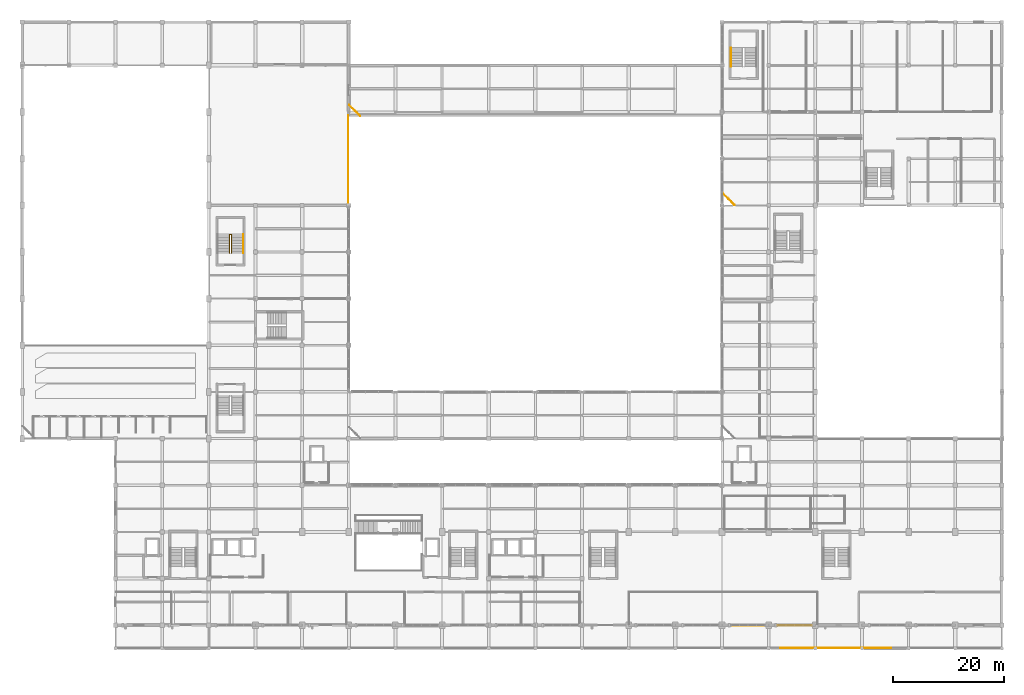
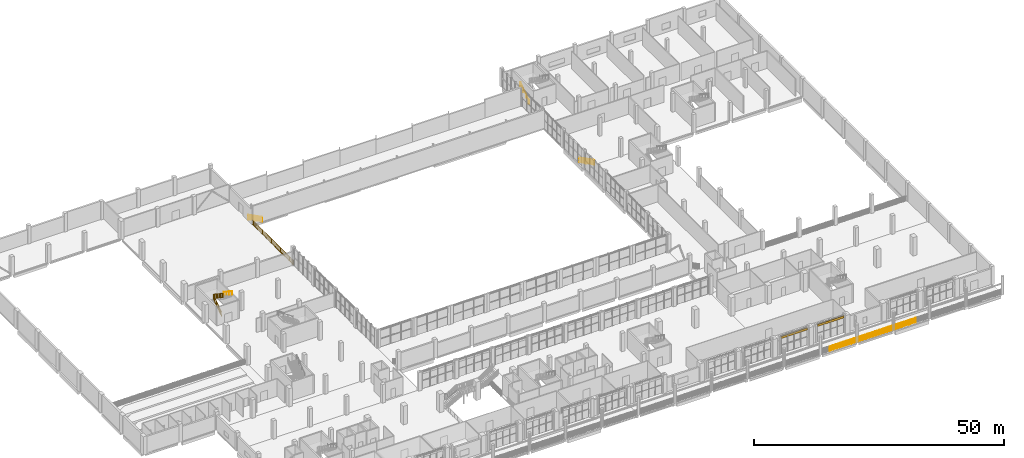
# One storey, part 73 of 75: 7 railings, 2 coverings.
"""IFC4 building model written with IfcOpenShell, lengths in metres."""

from ifc_helpers import new_model, si_unit, derived_unit, direction, frame, origin, origin_2d, place, context, subcontext, project, spatial, rectangle, circle, extrude, material, layer, layer_set, type_object, element, save


model = new_model("IFC4")

# Units and contexts
model_context = context("Model", 3, precision=1e-05, world=origin(), true_north=direction((0.0, 1.0)))
body_context = subcontext(model_context, "Body", "Model", "MODEL_VIEW")
ifc_project = project(units=[si_unit("LENGTHUNIT", "METRE"), si_unit("AREAUNIT", "SQUARE_METRE"), si_unit("VOLUMEUNIT", "CUBIC_METRE"), si_unit("PLANEANGLEUNIT", "RADIAN"), si_unit("MASSUNIT", "GRAM", prefix="KILO"), derived_unit("THERMALTRANSMITTANCEUNIT", [(si_unit("POWERUNIT", "WATT"), 1), (si_unit("LENGTHUNIT", "METRE"), -2), (si_unit("THERMODYNAMICTEMPERATUREUNIT", "KELVIN"), -1)])], contexts=[model_context])

# Site, building, storey
site_placement = place(None, origin())
site = spatial("IfcSite", under=ifc_project, at=site_placement, CompositionType="ELEMENT")
building_placement = place(site_placement, origin())
building = spatial("IfcBuilding", under=site, at=building_placement, Name="Barrovel Congress Hotel", CompositionType="ELEMENT")
storey_placement = place(building_placement, frame((0.0, 0.0, 5.39990234375)))
storey = spatial("IfcBuildingStorey", under=building, at=storey_placement, Name="L01", CompositionType="ELEMENT", Elevation=5.39990234375)

# Coverings
ifc_material_1 = material(Name="Glazed Terracotta Spandrel", Category="masonry")
ifc_layer_1 = layer(ifc_material_1, 0.1201171875)
ifc_layer_set_1 = layer_set([ifc_layer_1], Name="Glazed Terracotta Spandrel")
covering_type = type_object("IfcCoveringType", Name="COV-CLAD-TERRA", PredefinedType="CLADDING", material=ifc_layer_set_1)
for number, where, z_axis, x_axis, name in (
    (1, (130.679931640625, 4.14990234375, 3.710205078125), (0.0, 0.0, 1.0), (1.0, 0.0, 0.0), "CLAD:L01:S:15"),
    (2, (139.080078125, 4.14990234375, 3.710205078125), (0.0, 0.0, 1.0), (1.0, 0.0, 0.0), "CLAD:L01:S:16"),
):
    element("IfcCovering", number, at=place(storey_placement, frame(where, z_axis=z_axis, x_axis=x_axis)), inside=storey, type_object=covering_type, Name=name, PredefinedType="CLADDING", context=body_context, shape_type="SweptSolid", body=[
        extrude(rectangle(XDim=6.1201171875, YDim=0.1201171875, at=origin_2d()), origin(), (0.0, 0.0, 1.0), 0.52001953125),
    ])

# Railings
ifc_material_2 = material(Name="Painted Architectural Steel", Category="steel")
ifc_layer_2 = layer(ifc_material_2, 0.080078125)
ifc_layer_set_2 = layer_set([ifc_layer_2], Name="Painted Architectural Steel")
railing_type_1 = type_object("IfcRailingType", Name="RAIL-GUARD-EXT", PredefinedType="BALUSTRADE", material=ifc_layer_set_2)
railing_1_placement = place(storey_placement, frame((136.5, 0.080078125, 0.0)))
element("IfcRailing", 3, at=railing_1_placement, inside=storey, type_object=railing_type_1, Name="Arcade Promenade Guardrail 7", PredefinedType="BALUSTRADE", context=body_context, shape_type="SweptSolid", body=[
    extrude(circle(Radius=0.02392578125, at=origin_2d()), frame((0.0, 0.0, 1.11572265625), z_axis=(1.0, 0.0, 0.0), x_axis=(0.0, 1.0, 0.0)), (0.0, 0.0, 1.0), 19.949951171875),
    extrude(circle(Radius=0.02392578125, at=origin_2d()), frame((0.0, 0.0, 0.10009765625), z_axis=(1.0, 0.0, 0.0), x_axis=(0.0, 1.0, 0.0)), (0.0, 0.0, 1.0), 19.949951171875),
    extrude(circle(Radius=0.010009765625, at=origin_2d()), frame((0.443359375, 0.0, 0.10009765625)), (0.0, 0.0, 1.0), 0.99169921875),
    extrude(circle(Radius=0.010009765625, at=origin_2d()), frame((0.88671875, 0.0, 0.10009765625)), (0.0, 0.0, 1.0), 0.99169921875),
    extrude(circle(Radius=0.010009765625, at=origin_2d()), frame((1.330078125, 0.0, 0.10009765625)), (0.0, 0.0, 1.0), 0.99169921875),
    extrude(circle(Radius=0.010009765625, at=origin_2d()), frame((1.7734375, 0.0, 0.10009765625)), (0.0, 0.0, 1.0), 0.99169921875),
    extrude(circle(Radius=0.010009765625, at=origin_2d()), frame((2.216552734375, 0.0, 0.10009765625)), (0.0, 0.0, 1.0), 0.99169921875),
    extrude(circle(Radius=0.010009765625, at=origin_2d()), frame((2.659912109375, 0.0, 0.10009765625)), (0.0, 0.0, 1.0), 0.99169921875),
    extrude(circle(Radius=0.010009765625, at=origin_2d()), frame((3.103271484375, 0.0, 0.10009765625)), (0.0, 0.0, 1.0), 0.99169921875),
    extrude(circle(Radius=0.010009765625, at=origin_2d()), frame((3.546630859375, 0.0, 0.10009765625)), (0.0, 0.0, 1.0), 0.99169921875),
    extrude(circle(Radius=0.010009765625, at=origin_2d()), frame((3.989990234375, 0.0, 0.10009765625)), (0.0, 0.0, 1.0), 0.99169921875),
    extrude(circle(Radius=0.010009765625, at=origin_2d()), frame((4.433349609375, 0.0, 0.10009765625)), (0.0, 0.0, 1.0), 0.99169921875),
    extrude(circle(Radius=0.010009765625, at=origin_2d()), frame((4.876708984375, 0.0, 0.10009765625)), (0.0, 0.0, 1.0), 0.99169921875),
    extrude(circle(Radius=0.010009765625, at=origin_2d()), frame((5.320068359375, 0.0, 0.10009765625)), (0.0, 0.0, 1.0), 0.99169921875),
    extrude(circle(Radius=0.010009765625, at=origin_2d()), frame((5.763427734375, 0.0, 0.10009765625)), (0.0, 0.0, 1.0), 0.99169921875),
    extrude(circle(Radius=0.010009765625, at=origin_2d()), frame((6.20654296875, 0.0, 0.10009765625)), (0.0, 0.0, 1.0), 0.99169921875),
    extrude(circle(Radius=0.010009765625, at=origin_2d()), frame((6.64990234375, 0.0, 0.10009765625)), (0.0, 0.0, 1.0), 0.99169921875),
    extrude(circle(Radius=0.010009765625, at=origin_2d()), frame((7.09326171875, 0.0, 0.10009765625)), (0.0, 0.0, 1.0), 0.99169921875),
    extrude(circle(Radius=0.010009765625, at=origin_2d()), frame((7.53662109375, 0.0, 0.10009765625)), (0.0, 0.0, 1.0), 0.99169921875),
    extrude(circle(Radius=0.010009765625, at=origin_2d()), frame((7.97998046875, 0.0, 0.10009765625)), (0.0, 0.0, 1.0), 0.99169921875),
    extrude(circle(Radius=0.010009765625, at=origin_2d()), frame((8.42333984375, 0.0, 0.10009765625)), (0.0, 0.0, 1.0), 0.99169921875),
    extrude(circle(Radius=0.010009765625, at=origin_2d()), frame((8.86669921875, 0.0, 0.10009765625)), (0.0, 0.0, 1.0), 0.99169921875),
    extrude(circle(Radius=0.010009765625, at=origin_2d()), frame((9.31005859375, 0.0, 0.10009765625)), (0.0, 0.0, 1.0), 0.99169921875),
    extrude(circle(Radius=0.010009765625, at=origin_2d()), frame((9.75341796875, 0.0, 0.10009765625)), (0.0, 0.0, 1.0), 0.99169921875),
    extrude(circle(Radius=0.010009765625, at=origin_2d()), frame((10.196533203125, 0.0, 0.10009765625)), (0.0, 0.0, 1.0), 0.99169921875),
    extrude(circle(Radius=0.010009765625, at=origin_2d()), frame((10.639892578125, 0.0, 0.10009765625)), (0.0, 0.0, 1.0), 0.99169921875),
    extrude(circle(Radius=0.010009765625, at=origin_2d()), frame((11.083251953125, 0.0, 0.10009765625)), (0.0, 0.0, 1.0), 0.99169921875),
    extrude(circle(Radius=0.010009765625, at=origin_2d()), frame((11.526611328125, 0.0, 0.10009765625)), (0.0, 0.0, 1.0), 0.99169921875),
    extrude(circle(Radius=0.010009765625, at=origin_2d()), frame((11.969970703125, 0.0, 0.10009765625)), (0.0, 0.0, 1.0), 0.99169921875),
    extrude(circle(Radius=0.010009765625, at=origin_2d()), frame((12.413330078125, 0.0, 0.10009765625)), (0.0, 0.0, 1.0), 0.99169921875),
    extrude(circle(Radius=0.010009765625, at=origin_2d()), frame((12.856689453125, 0.0, 0.10009765625)), (0.0, 0.0, 1.0), 0.99169921875),
    extrude(circle(Radius=0.010009765625, at=origin_2d()), frame((13.300048828125, 0.0, 0.10009765625)), (0.0, 0.0, 1.0), 0.99169921875),
    extrude(circle(Radius=0.010009765625, at=origin_2d()), frame((13.743408203125, 0.0, 0.10009765625)), (0.0, 0.0, 1.0), 0.99169921875),
    extrude(circle(Radius=0.010009765625, at=origin_2d()), frame((14.1865234375, 0.0, 0.10009765625)), (0.0, 0.0, 1.0), 0.99169921875),
    extrude(circle(Radius=0.010009765625, at=origin_2d()), frame((14.6298828125, 0.0, 0.10009765625)), (0.0, 0.0, 1.0), 0.99169921875),
    extrude(circle(Radius=0.010009765625, at=origin_2d()), frame((15.0732421875, 0.0, 0.10009765625)), (0.0, 0.0, 1.0), 0.99169921875),
    extrude(circle(Radius=0.010009765625, at=origin_2d()), frame((15.5166015625, 0.0, 0.10009765625)), (0.0, 0.0, 1.0), 0.99169921875),
    extrude(circle(Radius=0.010009765625, at=origin_2d()), frame((15.9599609375, 0.0, 0.10009765625)), (0.0, 0.0, 1.0), 0.99169921875),
    extrude(circle(Radius=0.010009765625, at=origin_2d()), frame((16.4033203125, 0.0, 0.10009765625)), (0.0, 0.0, 1.0), 0.99169921875),
    extrude(circle(Radius=0.010009765625, at=origin_2d()), frame((16.8466796875, 0.0, 0.10009765625)), (0.0, 0.0, 1.0), 0.99169921875),
    extrude(circle(Radius=0.010009765625, at=origin_2d()), frame((17.2900390625, 0.0, 0.10009765625)), (0.0, 0.0, 1.0), 0.99169921875),
    extrude(circle(Radius=0.010009765625, at=origin_2d()), frame((17.7333984375, 0.0, 0.10009765625)), (0.0, 0.0, 1.0), 0.99169921875),
    extrude(circle(Radius=0.010009765625, at=origin_2d()), frame((18.176513671875, 0.0, 0.10009765625)), (0.0, 0.0, 1.0), 0.99169921875),
    extrude(circle(Radius=0.010009765625, at=origin_2d()), frame((18.619873046875, 0.0, 0.10009765625)), (0.0, 0.0, 1.0), 0.99169921875),
    extrude(circle(Radius=0.010009765625, at=origin_2d()), frame((19.063232421875, 0.0, 0.10009765625)), (0.0, 0.0, 1.0), 0.99169921875),
    extrude(circle(Radius=0.010009765625, at=origin_2d()), frame((19.506591796875, 0.0, 0.10009765625)), (0.0, 0.0, 1.0), 0.99169921875),
    extrude(circle(Radius=0.02099609375, at=origin_2d()), origin(), (0.0, 0.0, 1.0), 1.091796875),
    extrude(circle(Radius=0.02099609375, at=origin_2d()), frame((1.66259765625, 0.0, 0.0)), (0.0, 0.0, 1.0), 1.091796875),
    extrude(circle(Radius=0.02099609375, at=origin_2d()), frame((3.324951171875, 0.0, 0.0)), (0.0, 0.0, 1.0), 1.091796875),
    extrude(circle(Radius=0.02099609375, at=origin_2d()), frame((4.987548828125, 0.0, 0.0)), (0.0, 0.0, 1.0), 1.091796875),
    extrude(circle(Radius=0.02099609375, at=origin_2d()), frame((6.64990234375, 0.0, 0.0)), (0.0, 0.0, 1.0), 1.091796875),
    extrude(circle(Radius=0.02099609375, at=origin_2d()), frame((8.3125, 0.0, 0.0)), (0.0, 0.0, 1.0), 1.091796875),
    extrude(circle(Radius=0.02099609375, at=origin_2d()), frame((9.97509765625, 0.0, 0.0)), (0.0, 0.0, 1.0), 1.091796875),
    extrude(circle(Radius=0.02099609375, at=origin_2d()), frame((11.637451171875, 0.0, 0.0)), (0.0, 0.0, 1.0), 1.091796875),
    extrude(circle(Radius=0.02099609375, at=origin_2d()), frame((13.300048828125, 0.0, 0.0)), (0.0, 0.0, 1.0), 1.091796875),
    extrude(circle(Radius=0.02099609375, at=origin_2d()), frame((14.96240234375, 0.0, 0.0)), (0.0, 0.0, 1.0), 1.091796875),
    extrude(circle(Radius=0.02099609375, at=origin_2d()), frame((16.625, 0.0, 0.0)), (0.0, 0.0, 1.0), 1.091796875),
    extrude(circle(Radius=0.02099609375, at=origin_2d()), frame((18.287353515625, 0.0, 0.0)), (0.0, 0.0, 1.0), 1.091796875),
    extrude(circle(Radius=0.02099609375, at=origin_2d()), frame((19.949951171875, 0.0, 0.0)), (0.0, 0.0, 1.0), 1.091796875),
])
railing_2_placement = place(storey_placement, frame((58.719970703125, 79.800048828125, 0.0)))
element("IfcRailing", 4, at=railing_2_placement, inside=storey, type_object=railing_type_1, Name="RAIL:L01:FOYER-E", PredefinedType="BALUSTRADE", context=body_context, shape_type="SweptSolid", body=[
    extrude(circle(Radius=0.02392578125, at=origin_2d()), frame((0.0, 0.0, 1.11572265625), z_axis=(0.0, 1.0, 0.0), x_axis=(-1.0, 0.0, 0.0)), (0.0, 0.0, 1.0), 16.199951171875),
    extrude(circle(Radius=0.02392578125, at=origin_2d()), frame((0.0, 0.0, 0.10009765625), z_axis=(0.0, 1.0, 0.0), x_axis=(-1.0, 0.0, 0.0)), (0.0, 0.0, 1.0), 16.199951171875),
    extrude(circle(Radius=0.010009765625, at=origin_2d()), frame((0.0, 0.449951171875, 0.10009765625)), (0.0, 0.0, 1.0), 0.99169921875),
    extrude(circle(Radius=0.010009765625, at=origin_2d()), frame((0.0, 0.89990234375, 0.10009765625)), (0.0, 0.0, 1.0), 0.99169921875),
    extrude(circle(Radius=0.010009765625, at=origin_2d()), frame((0.0, 1.35009765625, 0.10009765625)), (0.0, 0.0, 1.0), 0.99169921875),
    extrude(circle(Radius=0.010009765625, at=origin_2d()), frame((0.0, 1.800048828125, 0.10009765625)), (0.0, 0.0, 1.0), 0.99169921875),
    extrude(circle(Radius=0.010009765625, at=origin_2d()), frame((0.0, 2.25, 0.10009765625)), (0.0, 0.0, 1.0), 0.99169921875),
    extrude(circle(Radius=0.010009765625, at=origin_2d()), frame((0.0, 2.699951171875, 0.10009765625)), (0.0, 0.0, 1.0), 0.99169921875),
    extrude(circle(Radius=0.010009765625, at=origin_2d()), frame((0.0, 3.14990234375, 0.10009765625)), (0.0, 0.0, 1.0), 0.99169921875),
    extrude(circle(Radius=0.010009765625, at=origin_2d()), frame((0.0, 3.60009765625, 0.10009765625)), (0.0, 0.0, 1.0), 0.99169921875),
    extrude(circle(Radius=0.010009765625, at=origin_2d()), frame((0.0, 4.050048828125, 0.10009765625)), (0.0, 0.0, 1.0), 0.99169921875),
    extrude(circle(Radius=0.010009765625, at=origin_2d()), frame((0.0, 4.5, 0.10009765625)), (0.0, 0.0, 1.0), 0.99169921875),
    extrude(circle(Radius=0.010009765625, at=origin_2d()), frame((0.0, 4.949951171875, 0.10009765625)), (0.0, 0.0, 1.0), 0.99169921875),
    extrude(circle(Radius=0.010009765625, at=origin_2d()), frame((0.0, 5.39990234375, 0.10009765625)), (0.0, 0.0, 1.0), 0.99169921875),
    extrude(circle(Radius=0.010009765625, at=origin_2d()), frame((0.0, 5.85009765625, 0.10009765625)), (0.0, 0.0, 1.0), 0.99169921875),
    extrude(circle(Radius=0.010009765625, at=origin_2d()), frame((0.0, 6.300048828125, 0.10009765625)), (0.0, 0.0, 1.0), 0.99169921875),
    extrude(circle(Radius=0.010009765625, at=origin_2d()), frame((0.0, 6.75, 0.10009765625)), (0.0, 0.0, 1.0), 0.99169921875),
    extrude(circle(Radius=0.010009765625, at=origin_2d()), frame((0.0, 7.199951171875, 0.10009765625)), (0.0, 0.0, 1.0), 0.99169921875),
    extrude(circle(Radius=0.010009765625, at=origin_2d()), frame((0.0, 7.64990234375, 0.10009765625)), (0.0, 0.0, 1.0), 0.99169921875),
    extrude(circle(Radius=0.010009765625, at=origin_2d()), frame((0.0, 8.10009765625, 0.10009765625)), (0.0, 0.0, 1.0), 0.99169921875),
    extrude(circle(Radius=0.010009765625, at=origin_2d()), frame((0.0, 8.550048828125, 0.10009765625)), (0.0, 0.0, 1.0), 0.99169921875),
    extrude(circle(Radius=0.010009765625, at=origin_2d()), frame((0.0, 9.0, 0.10009765625)), (0.0, 0.0, 1.0), 0.99169921875),
    extrude(circle(Radius=0.010009765625, at=origin_2d()), frame((0.0, 9.449951171875, 0.10009765625)), (0.0, 0.0, 1.0), 0.99169921875),
    extrude(circle(Radius=0.010009765625, at=origin_2d()), frame((0.0, 9.89990234375, 0.10009765625)), (0.0, 0.0, 1.0), 0.99169921875),
    extrude(circle(Radius=0.010009765625, at=origin_2d()), frame((0.0, 10.349853515625, 0.10009765625)), (0.0, 0.0, 1.0), 0.99169921875),
    extrude(circle(Radius=0.010009765625, at=origin_2d()), frame((0.0, 10.800048828125, 0.10009765625)), (0.0, 0.0, 1.0), 0.99169921875),
    extrude(circle(Radius=0.010009765625, at=origin_2d()), frame((0.0, 11.25, 0.10009765625)), (0.0, 0.0, 1.0), 0.99169921875),
    extrude(circle(Radius=0.010009765625, at=origin_2d()), frame((0.0, 11.699951171875, 0.10009765625)), (0.0, 0.0, 1.0), 0.99169921875),
    extrude(circle(Radius=0.010009765625, at=origin_2d()), frame((0.0, 12.14990234375, 0.10009765625)), (0.0, 0.0, 1.0), 0.99169921875),
    extrude(circle(Radius=0.010009765625, at=origin_2d()), frame((0.0, 12.599853515625, 0.10009765625)), (0.0, 0.0, 1.0), 0.99169921875),
    extrude(circle(Radius=0.010009765625, at=origin_2d()), frame((0.0, 13.050048828125, 0.10009765625)), (0.0, 0.0, 1.0), 0.99169921875),
    extrude(circle(Radius=0.010009765625, at=origin_2d()), frame((0.0, 13.5, 0.10009765625)), (0.0, 0.0, 1.0), 0.99169921875),
    extrude(circle(Radius=0.010009765625, at=origin_2d()), frame((0.0, 13.949951171875, 0.10009765625)), (0.0, 0.0, 1.0), 0.99169921875),
    extrude(circle(Radius=0.010009765625, at=origin_2d()), frame((0.0, 14.39990234375, 0.10009765625)), (0.0, 0.0, 1.0), 0.99169921875),
    extrude(circle(Radius=0.010009765625, at=origin_2d()), frame((0.0, 14.849853515625, 0.10009765625)), (0.0, 0.0, 1.0), 0.99169921875),
    extrude(circle(Radius=0.010009765625, at=origin_2d()), frame((0.0, 15.300048828125, 0.10009765625)), (0.0, 0.0, 1.0), 0.99169921875),
    extrude(circle(Radius=0.010009765625, at=origin_2d()), frame((0.0, 15.75, 0.10009765625)), (0.0, 0.0, 1.0), 0.99169921875),
    extrude(circle(Radius=0.02099609375, at=origin_2d()), origin(), (0.0, 0.0, 1.0), 1.091796875),
    extrude(circle(Radius=0.02099609375, at=origin_2d()), frame((0.0, 1.800048828125, 0.0)), (0.0, 0.0, 1.0), 1.091796875),
    extrude(circle(Radius=0.02099609375, at=origin_2d()), frame((0.0, 3.60009765625, 0.0)), (0.0, 0.0, 1.0), 1.091796875),
    extrude(circle(Radius=0.02099609375, at=origin_2d()), frame((0.0, 5.39990234375, 0.0)), (0.0, 0.0, 1.0), 1.091796875),
    extrude(circle(Radius=0.02099609375, at=origin_2d()), frame((0.0, 7.199951171875, 0.0)), (0.0, 0.0, 1.0), 1.091796875),
    extrude(circle(Radius=0.02099609375, at=origin_2d()), frame((0.0, 9.0, 0.0)), (0.0, 0.0, 1.0), 1.091796875),
    extrude(circle(Radius=0.02099609375, at=origin_2d()), frame((0.0, 10.800048828125, 0.0)), (0.0, 0.0, 1.0), 1.091796875),
    extrude(circle(Radius=0.02099609375, at=origin_2d()), frame((0.0, 12.599853515625, 0.0)), (0.0, 0.0, 1.0), 1.091796875),
    extrude(circle(Radius=0.02099609375, at=origin_2d()), frame((0.0, 14.39990234375, 0.0)), (0.0, 0.0, 1.0), 1.091796875),
    extrude(circle(Radius=0.02099609375, at=origin_2d()), frame((0.0, 16.199951171875, 0.0)), (0.0, 0.0, 1.0), 1.091796875),
])
ifc_layer_3 = layer(ifc_material_2, 0.070068359375)
ifc_layer_set_3 = layer_set([ifc_layer_3], Name="Painted Architectural Steel")
railing_type_2 = type_object("IfcRailingType", Name="RAIL-GUARD-INT", PredefinedType="BALUSTRADE", material=ifc_layer_set_3)
railing_3_placement = place(storey_placement, frame((37.31005859375, 71.179931640625, 0.0)))
element("IfcRailing", 5, at=railing_3_placement, inside=storey, type_object=railing_type_2, Name="STAIR:XS-07:L01:GR-W", PredefinedType="BALUSTRADE", context=body_context, shape_type="SweptSolid", body=[
    extrude(circle(Radius=0.02392578125, at=origin_2d()), frame((0.0, 0.0, 1.11572265625), z_axis=(0.0, 0.833193183746, 0.552982023722), x_axis=(-1.0, 0.0, 0.0)), (0.0, 0.0, 1.0), 4.06884765625),
    extrude(circle(Radius=0.02392578125, at=origin_2d()), frame((0.0, 0.0, 0.10009765625), z_axis=(0.0, 0.833193183746, 0.552982023722), x_axis=(-1.0, 0.0, 0.0)), (0.0, 0.0, 1.0), 4.06884765625),
    extrude(circle(Radius=0.010009765625, at=origin_2d()), frame((0.0, 0.339111328125, 0.324951171875)), (0.0, 0.0, 1.0), 0.99169921875),
    extrude(circle(Radius=0.010009765625, at=origin_2d()), frame((0.0, 0.677978515625, 0.550048828125)), (0.0, 0.0, 1.0), 0.99169921875),
    extrude(circle(Radius=0.010009765625, at=origin_2d()), frame((0.0, 1.01708984375, 0.77490234375)), (0.0, 0.0, 1.0), 0.99169921875),
    extrude(circle(Radius=0.010009765625, at=origin_2d()), frame((0.0, 1.35595703125, 1.0)), (0.0, 0.0, 1.0), 0.99169921875),
    extrude(circle(Radius=0.010009765625, at=origin_2d()), frame((0.0, 1.695068359375, 1.22509765625)), (0.0, 0.0, 1.0), 0.99169921875),
    extrude(circle(Radius=0.010009765625, at=origin_2d()), frame((0.0, 2.0341796875, 1.449951171875)), (0.0, 0.0, 1.0), 0.99169921875),
    extrude(circle(Radius=0.010009765625, at=origin_2d()), frame((0.0, 2.373046875, 1.675048828125)), (0.0, 0.0, 1.0), 0.99169921875),
    extrude(circle(Radius=0.010009765625, at=origin_2d()), frame((0.0, 2.712158203125, 1.89990234375)), (0.0, 0.0, 1.0), 0.99169921875),
    extrude(circle(Radius=0.010009765625, at=origin_2d()), frame((0.0, 3.051025390625, 2.125)), (0.0, 0.0, 1.0), 0.99169921875),
    extrude(circle(Radius=0.02392578125, at=origin_2d()), frame((0.0, 3.39013671875, 3.36572265625), z_axis=(1.0, 0.0, 0.0), x_axis=(0.0, 1.0, 0.0)), (0.0, 0.0, 1.0), 0.3798828125),
    extrude(circle(Radius=0.02392578125, at=origin_2d()), frame((0.0, 3.39013671875, 2.35009765625), z_axis=(1.0, 0.0, 0.0), x_axis=(0.0, 1.0, 0.0)), (0.0, 0.0, 1.0), 0.3798828125),
    extrude(circle(Radius=0.010009765625, at=origin_2d()), frame((0.18994140625, 3.39013671875, 2.35009765625)), (0.0, 0.0, 1.0), 0.99169921875),
    extrude(circle(Radius=0.02392578125, at=origin_2d()), frame((0.3798828125, 3.39013671875, 3.36572265625), z_axis=(0.0, -0.833193183746, 0.552982023722), x_axis=(1.0, 0.0, 0.0)), (0.0, 0.0, 1.0), 4.06884765625),
    extrude(circle(Radius=0.02392578125, at=origin_2d()), frame((0.3798828125, 3.39013671875, 2.35009765625), z_axis=(0.0, -0.833193183746, 0.552982023722), x_axis=(1.0, 0.0, 0.0)), (0.0, 0.0, 1.0), 4.06884765625),
    extrude(circle(Radius=0.010009765625, at=origin_2d()), frame((0.3798828125, 3.051025390625, 2.574951171875)), (0.0, 0.0, 1.0), 0.99169921875),
    extrude(circle(Radius=0.010009765625, at=origin_2d()), frame((0.3798828125, 2.712158203125, 2.800048828125)), (0.0, 0.0, 1.0), 0.99169921875),
    extrude(circle(Radius=0.010009765625, at=origin_2d()), frame((0.3798828125, 2.373046875, 3.02490234375)), (0.0, 0.0, 1.0), 0.99169921875),
    extrude(circle(Radius=0.010009765625, at=origin_2d()), frame((0.3798828125, 2.0341796875, 3.25)), (0.0, 0.0, 1.0), 0.99169921875),
    extrude(circle(Radius=0.010009765625, at=origin_2d()), frame((0.3798828125, 1.695068359375, 3.47509765625)), (0.0, 0.0, 1.0), 0.99169921875),
    extrude(circle(Radius=0.010009765625, at=origin_2d()), frame((0.3798828125, 1.35595703125, 3.699951171875)), (0.0, 0.0, 1.0), 0.99169921875),
    extrude(circle(Radius=0.010009765625, at=origin_2d()), frame((0.3798828125, 1.01708984375, 3.925048828125)), (0.0, 0.0, 1.0), 0.99169921875),
    extrude(circle(Radius=0.010009765625, at=origin_2d()), frame((0.3798828125, 0.677978515625, 4.14990234375)), (0.0, 0.0, 1.0), 0.99169921875),
    extrude(circle(Radius=0.010009765625, at=origin_2d()), frame((0.3798828125, 0.339111328125, 4.375)), (0.0, 0.0, 1.0), 0.99169921875),
    extrude(circle(Radius=0.02099609375, at=origin_2d()), origin(), (0.0, 0.0, 1.0), 1.091796875),
    extrude(circle(Radius=0.02099609375, at=origin_2d()), frame((0.0, 1.130126953125, 0.75)), (0.0, 0.0, 1.0), 1.091796875),
    extrude(circle(Radius=0.02099609375, at=origin_2d()), frame((0.0, 2.260009765625, 1.5)), (0.0, 0.0, 1.0), 1.091796875),
    extrude(circle(Radius=0.02099609375, at=origin_2d()), frame((0.0, 3.39013671875, 2.25)), (0.0, 0.0, 1.0), 1.091796875),
    extrude(circle(Radius=0.02099609375, at=origin_2d()), frame((0.3798828125, 3.39013671875, 2.25)), (0.0, 0.0, 1.0), 1.091796875),
    extrude(circle(Radius=0.02099609375, at=origin_2d()), frame((0.3798828125, 2.260009765625, 3.0)), (0.0, 0.0, 1.0), 1.091796875),
    extrude(circle(Radius=0.02099609375, at=origin_2d()), frame((0.3798828125, 1.130126953125, 3.75)), (0.0, 0.0, 1.0), 1.091796875),
    extrude(circle(Radius=0.02099609375, at=origin_2d()), frame((0.3798828125, 0.0, 4.5)), (0.0, 0.0, 1.0), 1.091796875),
])
railing_4_placement = place(storey_placement, frame((128.25, 79.8798828125, 0.0)))
element("IfcRailing", 6, at=railing_4_placement, inside=storey, type_object=railing_type_2, Name="RAIL:L01:CG-SPA", PredefinedType="BALUSTRADE", context=body_context, shape_type="SweptSolid", body=[
    extrude(circle(Radius=0.02392578125, at=origin_2d()), frame((0.0, 0.0, 1.11572265625), z_axis=(-0.707067003571, 0.707146556564, 0.0), x_axis=(-0.707146556564, -0.707067003571, 0.0)), (0.0, 0.0, 1.0), 3.06884765625),
    extrude(circle(Radius=0.02392578125, at=origin_2d()), frame((0.0, 0.0, 0.10009765625), z_axis=(-0.707067003571, 0.707146556564, 0.0), x_axis=(-0.707146556564, -0.707067003571, 0.0)), (0.0, 0.0, 1.0), 3.06884765625),
    extrude(circle(Radius=0.010009765625, at=origin_2d()), frame((-0.31005859375, 0.31005859375, 0.10009765625)), (0.0, 0.0, 1.0), 0.99169921875),
    extrude(circle(Radius=0.010009765625, at=origin_2d()), frame((-0.619873046875, 0.6201171875, 0.10009765625)), (0.0, 0.0, 1.0), 0.99169921875),
    extrude(circle(Radius=0.010009765625, at=origin_2d()), frame((-0.929931640625, 0.93017578125, 0.10009765625)), (0.0, 0.0, 1.0), 0.99169921875),
    extrude(circle(Radius=0.010009765625, at=origin_2d()), frame((-1.239990234375, 1.239990234375, 0.10009765625)), (0.0, 0.0, 1.0), 0.99169921875),
    extrude(circle(Radius=0.010009765625, at=origin_2d()), frame((-1.550048828125, 1.550048828125, 0.10009765625)), (0.0, 0.0, 1.0), 0.99169921875),
    extrude(circle(Radius=0.010009765625, at=origin_2d()), frame((-1.85986328125, 1.860107421875, 0.10009765625)), (0.0, 0.0, 1.0), 0.99169921875),
    extrude(circle(Radius=0.02099609375, at=origin_2d()), origin(), (0.0, 0.0, 1.0), 1.091796875),
    extrude(circle(Radius=0.02099609375, at=origin_2d()), frame((-1.0849609375, 1.0849609375, 0.0)), (0.0, 0.0, 1.0), 1.091796875),
    extrude(circle(Radius=0.02099609375, at=origin_2d()), frame((-2.169921875, 2.170166015625, 0.0)), (0.0, 0.0, 1.0), 1.091796875),
])
railing_5_placement = place(storey_placement, frame((60.85009765625, 95.8798828125, 0.0)))
element("IfcRailing", 7, at=railing_5_placement, inside=storey, type_object=railing_type_2, Name="RAIL:L01:CG-NPAV", PredefinedType="BALUSTRADE", context=body_context, shape_type="SweptSolid", body=[
    extrude(circle(Radius=0.02392578125, at=origin_2d()), frame((0.0, 0.0, 1.11572265625), z_axis=(-0.707106781187, 0.707106781187, 0.0), x_axis=(-0.707106781187, -0.707106781187, 0.0)), (0.0, 0.0, 1.0), 2.786376953125),
    extrude(circle(Radius=0.02392578125, at=origin_2d()), frame((0.0, 0.0, 0.10009765625), z_axis=(-0.707106781187, 0.707106781187, 0.0), x_axis=(-0.707106781187, -0.707106781187, 0.0)), (0.0, 0.0, 1.0), 2.786376953125),
    extrude(circle(Radius=0.010009765625, at=origin_2d()), frame((-0.281494140625, 0.281494140625, 0.10009765625)), (0.0, 0.0, 1.0), 0.99169921875),
    extrude(circle(Radius=0.010009765625, at=origin_2d()), frame((-0.56298828125, 0.56298828125, 0.10009765625)), (0.0, 0.0, 1.0), 0.99169921875),
    extrude(circle(Radius=0.010009765625, at=origin_2d()), frame((-0.844482421875, 0.844482421875, 0.10009765625)), (0.0, 0.0, 1.0), 0.99169921875),
    extrude(circle(Radius=0.010009765625, at=origin_2d()), frame((-1.125732421875, 1.125732421875, 0.10009765625)), (0.0, 0.0, 1.0), 0.99169921875),
    extrude(circle(Radius=0.010009765625, at=origin_2d()), frame((-1.4072265625, 1.4072265625, 0.10009765625)), (0.0, 0.0, 1.0), 0.99169921875),
    extrude(circle(Radius=0.010009765625, at=origin_2d()), frame((-1.688720703125, 1.688720703125, 0.10009765625)), (0.0, 0.0, 1.0), 0.99169921875),
    extrude(circle(Radius=0.02099609375, at=origin_2d()), origin(), (0.0, 0.0, 1.0), 1.091796875),
    extrude(circle(Radius=0.02099609375, at=origin_2d()), frame((-0.985107421875, 0.985107421875, 0.0)), (0.0, 0.0, 1.0), 1.091796875),
    extrude(circle(Radius=0.02099609375, at=origin_2d()), frame((-1.97021484375, 1.97021484375, 0.0)), (0.0, 0.0, 1.0), 1.091796875),
])
ifc_material_3 = material(Name="Brushed Stainless Steel", Category="steel")
ifc_layer_4 = layer(ifc_material_3, 0.050048828125)
ifc_layer_set_4 = layer_set([ifc_layer_4], Name="Brushed Stainless Steel")
railing_type_3 = type_object("IfcRailingType", Name="RAIL-HAND", PredefinedType="HANDRAIL", material=ifc_layer_set_4)
railing_6_placement = place(storey_placement, frame((39.780029296875, 74.570068359375, 2.25)))
element("IfcRailing", 8, at=railing_6_placement, inside=storey, type_object=railing_type_3, Name="STAIR:XS-07:L01:HR-2", PredefinedType="HANDRAIL", context=body_context, shape_type="SweptSolid", body=[
    extrude(circle(Radius=0.02392578125, at=origin_2d()), frame((0.0, 0.0, 0.89599609375), z_axis=(0.0, -0.833193183746, 0.552982023722), x_axis=(1.0, 0.0, 0.0)), (0.0, 0.0, 1.0), 4.06884765625),
    extrude(circle(Radius=0.02099609375, at=origin_2d()), origin(), (0.0, 0.0, 1.0), 0.871826171875),
    extrude(circle(Radius=0.02099609375, at=origin_2d()), frame((0.0, -1.130126953125, 0.75)), (0.0, 0.0, 1.0), 0.871826171875),
    extrude(circle(Radius=0.02099609375, at=origin_2d()), frame((0.0, -2.260009765625, 1.5)), (0.0, 0.0, 1.0), 0.871826171875),
    extrude(circle(Radius=0.02099609375, at=origin_2d()), frame((0.0, -3.39013671875, 2.25)), (0.0, 0.0, 1.0), 0.871826171875),
])
railing_7_placement = place(storey_placement, frame((127.6201171875, 104.780029296875, 0.0)))
element("IfcRailing", 9, at=railing_7_placement, inside=storey, type_object=railing_type_3, Name="STAIR:XS-10:L01:HR-1", PredefinedType="HANDRAIL", context=body_context, shape_type="SweptSolid", body=[
    extrude(circle(Radius=0.02392578125, at=origin_2d()), frame((0.0, 0.0, 0.89599609375), z_axis=(0.0, 0.833174834292, 0.553009670352), x_axis=(-1.0, 0.0, 0.0)), (0.0, 0.0, 1.0), 4.068603515625),
    extrude(circle(Radius=0.02099609375, at=origin_2d()), origin(), (0.0, 0.0, 1.0), 0.871826171875),
    extrude(circle(Radius=0.02099609375, at=origin_2d()), frame((0.0, 1.1298828125, 0.75)), (0.0, 0.0, 1.0), 0.871826171875),
    extrude(circle(Radius=0.02099609375, at=origin_2d()), frame((0.0, 2.260009765625, 1.5)), (0.0, 0.0, 1.0), 0.871826171875),
    extrude(circle(Radius=0.02099609375, at=origin_2d()), frame((0.0, 3.389892578125, 2.25)), (0.0, 0.0, 1.0), 0.871826171875),
])

save(model, "model.ifc")
